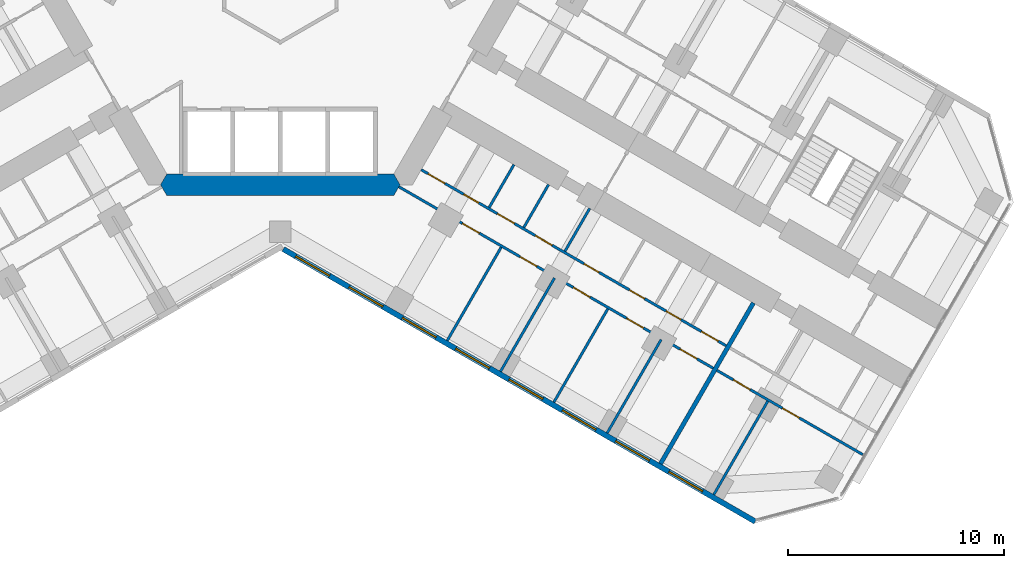
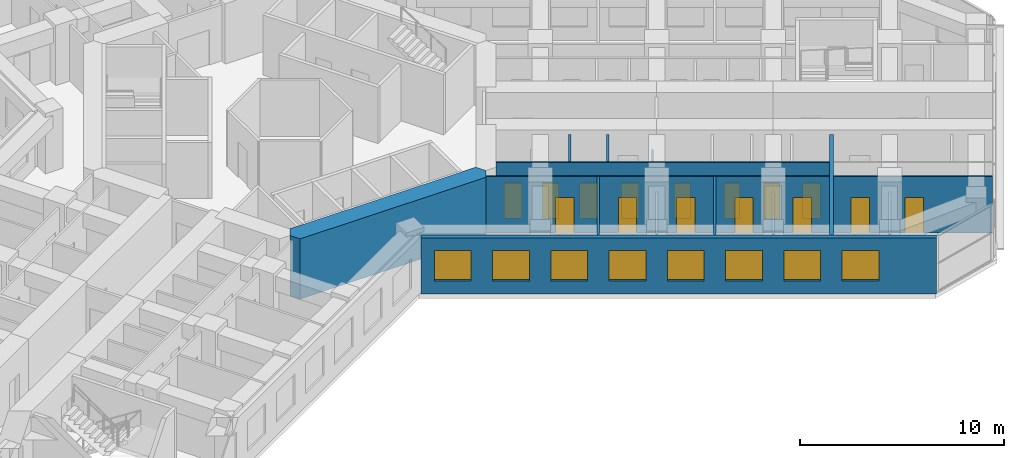
# One storey, part 14 of 21: 15 doors, 14 walls, 8 windows, 23 openings.
"""IFC4 building model written with IfcOpenShell, lengths in metres."""

from ifc_helpers import new_model, si_unit, direction, frame, frame_2d, origin, place, context, subcontext, project, spatial, polyline, rectangle, outline, extrude, material, layer, layer_set, type_object, element, fill, save


model = new_model("IFC4")

# Units and contexts
model_context = context("Model", 3, precision=1e-05, world=origin(), true_north=direction((0.0, 1.0)))
body_context = subcontext(model_context, "Body", "Model", "MODEL_VIEW")
ifc_project = project(units=[si_unit("LENGTHUNIT", "METRE"), si_unit("AREAUNIT", "SQUARE_METRE"), si_unit("VOLUMEUNIT", "CUBIC_METRE"), si_unit("PLANEANGLEUNIT", "RADIAN"), si_unit("MASSUNIT", "GRAM", prefix="KILO")], contexts=[model_context])

# Site, building, storey
site_placement = place(None, origin())
site = spatial("IfcSite", under=ifc_project, at=site_placement, CompositionType="ELEMENT")
building_placement = place(site_placement, origin())
building = spatial("IfcBuilding", under=site, at=building_placement, Name="Kosmar Iwan School Tower", CompositionType="ELEMENT")
storey_placement = place(building_placement, frame((0.0, 0.0, 61.0)))
storey = spatial("IfcBuildingStorey", under=building, at=storey_placement, Name="L14", CompositionType="ELEMENT", Elevation=61.0)

# Wall
ifc_material_1 = material(Name="Concrete C50/60", Category="concrete")
ifc_layer_1 = layer(ifc_material_1, 1.0)
ifc_layer_set_1 = layer_set([ifc_layer_1], Name="Core wall 1000")
wall_type_1 = type_object("IfcWallType", Name="Core wall 1000", PredefinedType="SHEAR", material=ifc_layer_set_1)
wall_1_placement = place(storey_placement, origin())
element("IfcWall", 1, at=wall_1_placement, inside=storey, type_object=wall_type_1, Name="Core wall F270", PredefinedType="SHEAR", context=body_context, shape_type="SweptSolid", body=[
    extrude(outline(polyline([(-5.25390625, -10.10009765625), (5.25390625, -10.10009765625), (5.54248046875, -9.60009765625), (5.25390625, -9.10009765625), (-5.25390625, -9.10009765625), (-5.54248046875, -9.60009765625), (-5.25390625, -10.10009765625)])), origin(), (0.0, 0.0, 1.0), 3.60009765625),
])

# Wall, openings, doors
ifc_material_2 = material(Name="Gypsum board on steel studs", Category="steel")
ifc_layer_2 = layer(ifc_material_2, 0.1201171875)
ifc_layer_set_2 = layer_set([ifc_layer_2], Name="Dwelling partition 120")
wall_type_2 = type_object("IfcWallType", Name="Dwelling partition 120", PredefinedType="PARTITIONING", material=ifc_layer_set_2)
wall_2_placement = place(storey_placement, frame((6.521728515625, -8.90380859375, 0.0), z_axis=(0.0, 0.0, 1.0), x_axis=(0.866031694176, -0.499989104564, 0.0)))
wall_2 = element("IfcWall", 2, at=wall_2_placement, inside=storey, type_object=wall_type_2, Name="Partition L14-CR1-W1", PredefinedType="PARTITIONING", context=body_context, shape_type="SweptSolid", body=[
    extrude(rectangle(XDim=16.300048828125, YDim=0.1201171875, at=frame_2d((8.14990234375, 0.0))), origin(), (0.0, 0.0, 1.0), 3.35009765625),
])
opening_1_placement = place(wall_2_placement, frame((0.375, 0.0, 0.0)))
opening_1 = element("IfcOpeningElement", 3, at=opening_1_placement, cuts=wall_2, Name="Opening D2", PredefinedType="OPENING", context=body_context, shape_type="SweptSolid", body=[
    extrude(rectangle(XDim=0.89990234375, YDim=2.10009765625, at=frame_2d((0.449951171875, 1.050048828125))), frame((0.0, 0.072021484375, 0.0), z_axis=(0.0, -1.0, 0.0), x_axis=(1.0, 0.0, 0.0)), (0.0, 0.0, 1.0), 0.14404296875),
])
opening_2_placement = place(wall_2_placement, frame((2.27490234375, 0.0, 0.0)))
opening_2 = element("IfcOpeningElement", 4, at=opening_2_placement, cuts=wall_2, Name="Opening D3", PredefinedType="OPENING", context=body_context, shape_type="SweptSolid", body=[
    extrude(rectangle(XDim=0.800048828125, YDim=2.10009765625, at=frame_2d((0.39990234375, 1.050048828125))), frame((0.0, 0.072021484375, 0.0), z_axis=(0.0, -1.0, 0.0), x_axis=(1.0, 0.0, 0.0)), (0.0, 0.0, 1.0), 0.14404296875),
])
opening_3_placement = place(wall_2_placement, frame((4.074951171875, 0.0, 0.0)))
opening_3 = element("IfcOpeningElement", 5, at=opening_3_placement, cuts=wall_2, Name="Opening D2", PredefinedType="OPENING", context=body_context, shape_type="SweptSolid", body=[
    extrude(rectangle(XDim=0.89990234375, YDim=2.10009765625, at=frame_2d((0.449951171875, 1.050048828125))), frame((0.0, 0.072021484375, 0.0), z_axis=(0.0, -1.0, 0.0), x_axis=(1.0, 0.0, 0.0)), (0.0, 0.0, 1.0), 0.14404296875),
])
opening_4_placement = place(wall_2_placement, frame((6.10009765625, 0.0, 0.0)))
opening_4 = element("IfcOpeningElement", 6, at=opening_4_placement, cuts=wall_2, Name="Opening D2", PredefinedType="OPENING", context=body_context, shape_type="SweptSolid", body=[
    extrude(rectangle(XDim=0.89990234375, YDim=2.10009765625, at=frame_2d((0.449951171875, 1.050048828125))), frame((0.0, 0.072021484375, 0.0), z_axis=(0.0, -1.0, 0.0), x_axis=(1.0, 0.0, 0.0)), (0.0, 0.0, 1.0), 0.14404296875),
])
opening_5_placement = place(wall_2_placement, frame((8.708251953125, 0.0, 0.0)))
opening_5 = element("IfcOpeningElement", 7, at=opening_5_placement, cuts=wall_2, Name="Opening D3", PredefinedType="OPENING", context=body_context, shape_type="SweptSolid", body=[
    extrude(rectangle(XDim=0.800048828125, YDim=2.10009765625, at=frame_2d((0.39990234375, 1.050048828125))), frame((0.0, 0.072021484375, 0.0), z_axis=(0.0, -1.0, 0.0), x_axis=(1.0, 0.0, 0.0)), (0.0, 0.0, 1.0), 0.14404296875),
])
opening_6_placement = place(wall_2_placement, frame((11.138916015625, 0.0, 0.0)))
opening_6 = element("IfcOpeningElement", 8, at=opening_6_placement, cuts=wall_2, Name="Opening D3", PredefinedType="OPENING", context=body_context, shape_type="SweptSolid", body=[
    extrude(rectangle(XDim=0.800048828125, YDim=2.10009765625, at=frame_2d((0.39990234375, 1.050048828125))), frame((0.0, 0.072021484375, 0.0), z_axis=(0.0, -1.0, 0.0), x_axis=(1.0, 0.0, 0.0)), (0.0, 0.0, 1.0), 0.14404296875),
])
opening_7_placement = place(wall_2_placement, frame((13.083251953125, 0.0, 0.0)))
opening_7 = element("IfcOpeningElement", 9, at=opening_7_placement, cuts=wall_2, Name="Opening D3", PredefinedType="OPENING", context=body_context, shape_type="SweptSolid", body=[
    extrude(rectangle(XDim=0.800048828125, YDim=2.10009765625, at=frame_2d((0.39990234375, 1.050048828125))), frame((0.0, 0.072021484375, 0.0), z_axis=(0.0, -1.0, 0.0), x_axis=(1.0, 0.0, 0.0)), (0.0, 0.0, 1.0), 0.14404296875),
])
opening_8_placement = place(wall_2_placement, frame((14.977783203125, 0.0, 0.0)))
opening_8 = element("IfcOpeningElement", 10, at=opening_8_placement, cuts=wall_2, Name="Opening D2", PredefinedType="OPENING", context=body_context, shape_type="SweptSolid", body=[
    extrude(rectangle(XDim=0.89990234375, YDim=2.10009765625, at=frame_2d((0.449951171875, 1.050048828125))), frame((0.0, 0.072021484375, 0.0), z_axis=(0.0, -1.0, 0.0), x_axis=(1.0, 0.0, 0.0)), (0.0, 0.0, 1.0), 0.14404296875),
])
ifc_material_3 = material(Name="Timber door in timber frame", Category="wood")
door_type_1 = type_object("IfcDoorType", Name="Internal door 900x2100", OperationType="SINGLE_SWING_LEFT", PredefinedType="DOOR", material=ifc_material_3)
door_1_placement = place(opening_1_placement, origin())
door_1 = element("IfcDoor", 11, at=door_1_placement, inside=storey, type_object=door_type_1, Name="Dressing room door L14-CR1-S1", OperationType="SINGLE_SWING_RIGHT", OverallHeight=2.10009765625, OverallWidth=0.89990234375, PredefinedType="DOOR", context=body_context, shape_type="SweptSolid", body=[
    extrude(rectangle(XDim=0.89990234375, YDim=2.10009765625, at=frame_2d((0.449951171875, 1.050048828125))), frame((0.0, 0.02490234375, 0.0), z_axis=(0.0, -1.0, 0.0), x_axis=(1.0, 0.0, 0.0)), (0.0, 0.0, 1.0), 0.050048828125),
])
fill(opening_1, door_1)
door_2_placement = place(opening_3_placement, origin())
door_2 = element("IfcDoor", 12, at=door_2_placement, inside=storey, type_object=door_type_1, Name="Pantry door L14-CR1-S3", OperationType="SINGLE_SWING_RIGHT", OverallHeight=2.10009765625, OverallWidth=0.89990234375, PredefinedType="DOOR", context=body_context, shape_type="SweptSolid", body=[
    extrude(rectangle(XDim=0.89990234375, YDim=2.10009765625, at=frame_2d((0.449951171875, 1.050048828125))), frame((0.0, 0.02490234375, 0.0), z_axis=(0.0, -1.0, 0.0), x_axis=(1.0, 0.0, 0.0)), (0.0, 0.0, 1.0), 0.050048828125),
])
fill(opening_3, door_2)
door_3_placement = place(opening_4_placement, origin())
door_3 = element("IfcDoor", 13, at=door_3_placement, inside=storey, type_object=door_type_1, Name="Entrance hall door L14-CR1-S4", OperationType="SINGLE_SWING_LEFT", OverallHeight=2.10009765625, OverallWidth=0.89990234375, PredefinedType="DOOR", context=body_context, shape_type="SweptSolid", body=[
    extrude(rectangle(XDim=0.89990234375, YDim=2.10009765625, at=frame_2d((0.449951171875, 1.050048828125))), frame((0.0, 0.02490234375, 0.0), z_axis=(0.0, -1.0, 0.0), x_axis=(1.0, 0.0, 0.0)), (0.0, 0.0, 1.0), 0.050048828125),
])
fill(opening_4, door_3)
door_4_placement = place(opening_8_placement, origin())
door_4 = element("IfcDoor", 14, at=door_4_placement, inside=storey, type_object=door_type_1, Name="Utility room door L14-CR1-S8", OperationType="SINGLE_SWING_RIGHT", OverallHeight=2.10009765625, OverallWidth=0.89990234375, PredefinedType="DOOR", context=body_context, shape_type="SweptSolid", body=[
    extrude(rectangle(XDim=0.89990234375, YDim=2.10009765625, at=frame_2d((0.449951171875, 1.050048828125))), frame((0.0, 0.02490234375, 0.0), z_axis=(0.0, -1.0, 0.0), x_axis=(1.0, 0.0, 0.0)), (0.0, 0.0, 1.0), 0.050048828125),
])
fill(opening_8, door_4)
ifc_material_4 = material(Name="Timber door in timber frame", Category="wood")
door_type_2 = type_object("IfcDoorType", Name="Sanitary room door 800x2100", OperationType="SINGLE_SWING_LEFT", PredefinedType="DOOR", material=ifc_material_4)
door_5_placement = place(opening_2_placement, origin())
door_5 = element("IfcDoor", 15, at=door_5_placement, inside=storey, type_object=door_type_2, Name="Store door L14-CR1-S2", OperationType="SINGLE_SWING_LEFT", OverallHeight=2.10009765625, OverallWidth=0.800048828125, PredefinedType="DOOR", context=body_context, shape_type="SweptSolid", body=[
    extrude(rectangle(XDim=0.800048828125, YDim=2.10009765625, at=frame_2d((0.39990234375, 1.050048828125))), frame((0.0, 0.02490234375, 0.0), z_axis=(0.0, -1.0, 0.0), x_axis=(1.0, 0.0, 0.0)), (0.0, 0.0, 1.0), 0.050048828125),
])
fill(opening_2, door_5)
door_6_placement = place(opening_5_placement, origin())
door_6 = element("IfcDoor", 16, at=door_6_placement, inside=storey, type_object=door_type_2, Name="Bathroom door L14-CR1-S5", OperationType="SINGLE_SWING_RIGHT", OverallHeight=2.10009765625, OverallWidth=0.800048828125, PredefinedType="DOOR", context=body_context, shape_type="SweptSolid", body=[
    extrude(rectangle(XDim=0.800048828125, YDim=2.10009765625, at=frame_2d((0.39990234375, 1.050048828125))), frame((0.0, 0.02490234375, 0.0), z_axis=(0.0, -1.0, 0.0), x_axis=(1.0, 0.0, 0.0)), (0.0, 0.0, 1.0), 0.050048828125),
])
fill(opening_5, door_6)
door_7_placement = place(opening_6_placement, origin())
door_7 = element("IfcDoor", 17, at=door_7_placement, inside=storey, type_object=door_type_2, Name="Shower room door L14-CR1-S6", OperationType="SINGLE_SWING_LEFT", OverallHeight=2.10009765625, OverallWidth=0.800048828125, PredefinedType="DOOR", context=body_context, shape_type="SweptSolid", body=[
    extrude(rectangle(XDim=0.800048828125, YDim=2.10009765625, at=frame_2d((0.39990234375, 1.050048828125))), frame((0.0, 0.02490234375, 0.0), z_axis=(0.0, -1.0, 0.0), x_axis=(1.0, 0.0, 0.0)), (0.0, 0.0, 1.0), 0.050048828125),
])
fill(opening_6, door_7)
door_8_placement = place(opening_7_placement, origin())
door_8 = element("IfcDoor", 18, at=door_8_placement, inside=storey, type_object=door_type_2, Name="WC door L14-CR1-S7", OperationType="SINGLE_SWING_RIGHT", OverallHeight=2.10009765625, OverallWidth=0.800048828125, PredefinedType="DOOR", context=body_context, shape_type="SweptSolid", body=[
    extrude(rectangle(XDim=0.800048828125, YDim=2.10009765625, at=frame_2d((0.39990234375, 1.050048828125))), frame((0.0, 0.02490234375, 0.0), z_axis=(0.0, -1.0, 0.0), x_axis=(1.0, 0.0, 0.0)), (0.0, 0.0, 1.0), 0.050048828125),
])
fill(opening_7, door_8)

wall_3_placement = place(storey_placement, frame((5.48876953125, -9.693115234375, 0.0), z_axis=(0.0, 0.0, 1.0), x_axis=(0.86602925447, -0.499993330357, 0.0)))
wall_3 = element("IfcWall", 19, at=wall_3_placement, inside=storey, type_object=wall_type_2, Name="Partition L14-CR1-W2", PredefinedType="PARTITIONING", context=body_context, shape_type="SweptSolid", body=[
    extrude(rectangle(XDim=16.800048828125, YDim=0.1201171875, at=frame_2d((8.39990234375, 0.0))), origin(), (0.0, 0.0, 1.0), 3.35009765625),
])
opening_9_placement = place(wall_3_placement, frame((3.39990234375, 0.0, 0.0)))
opening_9 = element("IfcOpeningElement", 20, at=opening_9_placement, cuts=wall_3, Name="Opening D2", PredefinedType="OPENING", context=body_context, shape_type="SweptSolid", body=[
    extrude(rectangle(XDim=0.89990234375, YDim=2.10009765625, at=frame_2d((0.449951171875, 1.050048828125))), frame((0.0, 0.072021484375, 0.0), z_axis=(0.0, -1.0, 0.0), x_axis=(1.0, 0.0, 0.0)), (0.0, 0.0, 1.0), 0.14404296875),
])
opening_10_placement = place(wall_3_placement, frame((6.47509765625, 0.0, 0.0)))
opening_10 = element("IfcOpeningElement", 21, at=opening_10_placement, cuts=wall_3, Name="Opening D2", PredefinedType="OPENING", context=body_context, shape_type="SweptSolid", body=[
    extrude(rectangle(XDim=0.89990234375, YDim=2.10009765625, at=frame_2d((0.449951171875, 1.050048828125))), frame((0.0, 0.072021484375, 0.0), z_axis=(0.0, -1.0, 0.0), x_axis=(1.0, 0.0, 0.0)), (0.0, 0.0, 1.0), 0.14404296875),
])
opening_11_placement = place(wall_3_placement, frame((9.324951171875, 0.0, 0.0)))
opening_11 = element("IfcOpeningElement", 22, at=opening_11_placement, cuts=wall_3, Name="Opening D2", PredefinedType="OPENING", context=body_context, shape_type="SweptSolid", body=[
    extrude(rectangle(XDim=0.89990234375, YDim=2.10009765625, at=frame_2d((0.449951171875, 1.050048828125))), frame((0.0, 0.072021484375, 0.0), z_axis=(0.0, -1.0, 0.0), x_axis=(1.0, 0.0, 0.0)), (0.0, 0.0, 1.0), 0.14404296875),
])
opening_12_placement = place(wall_3_placement, frame((12.175048828125, 0.0, 0.0)))
opening_12 = element("IfcOpeningElement", 23, at=opening_12_placement, cuts=wall_3, Name="Opening D2", PredefinedType="OPENING", context=body_context, shape_type="SweptSolid", body=[
    extrude(rectangle(XDim=0.89990234375, YDim=2.10009765625, at=frame_2d((0.449951171875, 1.050048828125))), frame((0.0, 0.072021484375, 0.0), z_axis=(0.0, -1.0, 0.0), x_axis=(1.0, 0.0, 0.0)), (0.0, 0.0, 1.0), 0.14404296875),
])
opening_13_placement = place(wall_3_placement, frame((15.02490234375, 0.0, 0.0)))
opening_13 = element("IfcOpeningElement", 24, at=opening_13_placement, cuts=wall_3, Name="Opening D2", PredefinedType="OPENING", context=body_context, shape_type="SweptSolid", body=[
    extrude(rectangle(XDim=0.89990234375, YDim=2.10009765625, at=frame_2d((0.449951171875, 1.050048828125))), frame((0.0, 0.072021484375, 0.0), z_axis=(0.0, -1.0, 0.0), x_axis=(1.0, 0.0, 0.0)), (0.0, 0.0, 1.0), 0.14404296875),
])
door_9_placement = place(opening_9_placement, origin())
door_9 = element("IfcDoor", 25, at=door_9_placement, inside=storey, type_object=door_type_1, Name="Living room and kitchen door L14-CR1-F1", OperationType="SINGLE_SWING_LEFT", OverallHeight=2.10009765625, OverallWidth=0.89990234375, PredefinedType="DOOR", context=body_context, shape_type="SweptSolid", body=[
    extrude(rectangle(XDim=0.89990234375, YDim=2.10009765625, at=frame_2d((0.449951171875, 1.050048828125))), frame((0.0, 0.02490234375, 0.0), z_axis=(0.0, -1.0, 0.0), x_axis=(1.0, 0.0, 0.0)), (0.0, 0.0, 1.0), 0.050048828125),
])
fill(opening_9, door_9)
door_10_placement = place(opening_10_placement, origin())
door_10 = element("IfcDoor", 26, at=door_10_placement, inside=storey, type_object=door_type_1, Name="Bedroom 1 door L14-CR1-F2", OperationType="SINGLE_SWING_LEFT", OverallHeight=2.10009765625, OverallWidth=0.89990234375, PredefinedType="DOOR", context=body_context, shape_type="SweptSolid", body=[
    extrude(rectangle(XDim=0.89990234375, YDim=2.10009765625, at=frame_2d((0.449951171875, 1.050048828125))), frame((0.0, 0.02490234375, 0.0), z_axis=(0.0, -1.0, 0.0), x_axis=(1.0, 0.0, 0.0)), (0.0, 0.0, 1.0), 0.050048828125),
])
fill(opening_10, door_10)
door_11_placement = place(opening_11_placement, origin())
door_11 = element("IfcDoor", 27, at=door_11_placement, inside=storey, type_object=door_type_1, Name="Bedroom 2 door L14-CR1-F3", OperationType="SINGLE_SWING_RIGHT", OverallHeight=2.10009765625, OverallWidth=0.89990234375, PredefinedType="DOOR", context=body_context, shape_type="SweptSolid", body=[
    extrude(rectangle(XDim=0.89990234375, YDim=2.10009765625, at=frame_2d((0.449951171875, 1.050048828125))), frame((0.0, 0.02490234375, 0.0), z_axis=(0.0, -1.0, 0.0), x_axis=(1.0, 0.0, 0.0)), (0.0, 0.0, 1.0), 0.050048828125),
])
fill(opening_11, door_11)
door_12_placement = place(opening_12_placement, origin())
door_12 = element("IfcDoor", 28, at=door_12_placement, inside=storey, type_object=door_type_1, Name="Bedroom 3 door L14-CR1-F4", OperationType="SINGLE_SWING_RIGHT", OverallHeight=2.10009765625, OverallWidth=0.89990234375, PredefinedType="DOOR", context=body_context, shape_type="SweptSolid", body=[
    extrude(rectangle(XDim=0.89990234375, YDim=2.10009765625, at=frame_2d((0.449951171875, 1.050048828125))), frame((0.0, 0.02490234375, 0.0), z_axis=(0.0, -1.0, 0.0), x_axis=(1.0, 0.0, 0.0)), (0.0, 0.0, 1.0), 0.050048828125),
])
fill(opening_12, door_12)
door_13_placement = place(opening_13_placement, origin())
door_13 = element("IfcDoor", 29, at=door_13_placement, inside=storey, type_object=door_type_1, Name="Bedroom 4 door L14-CR1-F5", OperationType="SINGLE_SWING_RIGHT", OverallHeight=2.10009765625, OverallWidth=0.89990234375, PredefinedType="DOOR", context=body_context, shape_type="SweptSolid", body=[
    extrude(rectangle(XDim=0.89990234375, YDim=2.10009765625, at=frame_2d((0.449951171875, 1.050048828125))), frame((0.0, 0.02490234375, 0.0), z_axis=(0.0, -1.0, 0.0), x_axis=(1.0, 0.0, 0.0)), (0.0, 0.0, 1.0), 0.050048828125),
])
fill(opening_13, door_13)

# Walls
wall_4_placement = place(storey_placement, frame((10.221923828125, -12.4951171875, 0.0), z_axis=(0.0, 0.0, 1.0), x_axis=(-0.499996339024, -0.86602751744, 0.0)))
element("IfcWall", 30, at=wall_4_placement, inside=storey, type_object=wall_type_2, Name="Partition L14-CR1-X1", PredefinedType="PARTITIONING", context=body_context, shape_type="SweptSolid", body=[
    extrude(rectangle(XDim=4.98974609375, YDim=0.1201171875, at=frame_2d((2.494873046875, 0.0))), origin(), (0.0, 0.0, 1.0), 3.35009765625),
])
wall_5_placement = place(storey_placement, frame((12.690185546875, -13.919921875, 0.0), z_axis=(0.0, 0.0, 1.0), x_axis=(-0.500011847778, -0.866018563358, 0.0)))
element("IfcWall", 31, at=wall_5_placement, inside=storey, type_object=wall_type_2, Name="Partition L14-CR1-X2", PredefinedType="PARTITIONING", context=body_context, shape_type="SweptSolid", body=[
    extrude(rectangle(XDim=4.990234375, YDim=0.1201171875, at=frame_2d((2.4951171875, 0.0))), origin(), (0.0, 0.0, 1.0), 2.449951171875),
])
wall_6_placement = place(storey_placement, frame((15.158447265625, -15.344970703125, 0.0), z_axis=(0.0, 0.0, 1.0), x_axis=(-0.500011847778, -0.866018563358, 0.0)))
element("IfcWall", 32, at=wall_6_placement, inside=storey, type_object=wall_type_2, Name="Partition L14-CR1-X3", PredefinedType="PARTITIONING", context=body_context, shape_type="SweptSolid", body=[
    extrude(rectangle(XDim=4.990234375, YDim=0.1201171875, at=frame_2d((2.4951171875, 0.0))), origin(), (0.0, 0.0, 1.0), 3.35009765625),
])
wall_7_placement = place(storey_placement, frame((17.62646484375, -16.77001953125, 0.0), z_axis=(0.0, 0.0, 1.0), x_axis=(-0.499975153383, -0.86603974851, 0.0)))
element("IfcWall", 33, at=wall_7_placement, inside=storey, type_object=wall_type_2, Name="Partition L14-CR1-X4", PredefinedType="PARTITIONING", context=body_context, shape_type="SweptSolid", body=[
    extrude(rectangle(XDim=4.989990234375, YDim=0.1201171875, at=frame_2d((2.4951171875, 0.0))), origin(), (0.0, 0.0, 1.0), 2.449951171875),
])
for number, where, z_axis, x_axis, name in (
    (34, (10.814453125, -8.668701171875, 0.0), (0.0, 0.0, 1.0), (-0.500014693593, -0.866016920268, 0.0), "Partition L14-CR1-Y2"),
    (35, (12.416748046875, -9.59375, 0.0), (0.0, 0.0, 1.0), (-0.500014693593, -0.866016920268, 0.0), "Partition L14-CR1-Y3"),
):
    element("IfcWall", number, at=place(storey_placement, frame(where, z_axis=z_axis, x_axis=x_axis)), inside=storey, type_object=wall_type_2, Name=name, PredefinedType="PARTITIONING", context=body_context, shape_type="SweptSolid", body=[
        extrude(rectangle(XDim=2.2900390625, YDim=0.1201171875, at=frame_2d((1.14501953125, 0.0))), origin(), (0.0, 0.0, 1.0), 3.35009765625),
    ])
wall_8_placement = place(storey_placement, frame((14.322021484375, -10.693603515625, 0.0), z_axis=(0.0, 0.0, 1.0), x_axis=(-0.500014693593, -0.866016920268, 0.0)))
element("IfcWall", 36, at=wall_8_placement, inside=storey, type_object=wall_type_2, Name="Partition L14-CR1-Y4", PredefinedType="PARTITIONING", context=body_context, shape_type="SweptSolid", body=[
    extrude(rectangle(XDim=2.2900390625, YDim=0.1201171875, at=frame_2d((1.14501953125, 0.0))), origin(), (0.0, 0.0, 1.0), 2.449951171875),
])

# Wall, openings, doors
wall_9_placement = place(storey_placement, frame((20.211181640625, -18.193115234375, 0.0), z_axis=(0.0, 0.0, 1.0), x_axis=(0.866029639064, -0.499992664208, 0.0)))
wall_9 = element("IfcWall", 37, at=wall_9_placement, inside=storey, type_object=wall_type_2, Name="Partition L14-CR2-W2", PredefinedType="PARTITIONING", context=body_context, shape_type="SweptSolid", body=[
    extrude(rectangle(XDim=7.794921875, YDim=0.1201171875, at=frame_2d((3.8974609375, 0.0))), origin(), (0.0, 0.0, 1.0), 3.35009765625),
])
opening_14_placement = place(wall_9_placement, frame((0.875, 0.0, 0.0)))
opening_14 = element("IfcOpeningElement", 38, at=opening_14_placement, cuts=wall_9, Name="Opening D2", PredefinedType="OPENING", context=body_context, shape_type="SweptSolid", body=[
    extrude(rectangle(XDim=0.89990234375, YDim=2.10009765625, at=frame_2d((0.449951171875, 1.050048828125))), frame((0.0, 0.072021484375, 0.0), z_axis=(0.0, -1.0, 0.0), x_axis=(1.0, 0.0, 0.0)), (0.0, 0.0, 1.0), 0.14404296875),
])
opening_15_placement = place(wall_9_placement, frame((3.5, 0.0, 0.0)))
opening_15 = element("IfcOpeningElement", 39, at=opening_15_placement, cuts=wall_9, Name="Opening D2", PredefinedType="OPENING", context=body_context, shape_type="SweptSolid", body=[
    extrude(rectangle(XDim=0.89990234375, YDim=2.10009765625, at=frame_2d((0.449951171875, 1.050048828125))), frame((0.0, 0.072021484375, 0.0), z_axis=(0.0, -1.0, 0.0), x_axis=(1.0, 0.0, 0.0)), (0.0, 0.0, 1.0), 0.14404296875),
])
door_14_placement = place(opening_14_placement, origin())
door_14 = element("IfcDoor", 40, at=door_14_placement, inside=storey, type_object=door_type_1, Name="Bedroom 1 door L14-CR2-F1", OperationType="SINGLE_SWING_LEFT", OverallHeight=2.10009765625, OverallWidth=0.89990234375, PredefinedType="DOOR", context=body_context, shape_type="SweptSolid", body=[
    extrude(rectangle(XDim=0.89990234375, YDim=2.10009765625, at=frame_2d((0.449951171875, 1.050048828125))), frame((0.0, 0.02490234375, 0.0), z_axis=(0.0, -1.0, 0.0), x_axis=(1.0, 0.0, 0.0)), (0.0, 0.0, 1.0), 0.050048828125),
])
fill(opening_14, door_14)
door_15_placement = place(opening_15_placement, origin())
door_15 = element("IfcDoor", 41, at=door_15_placement, inside=storey, type_object=door_type_1, Name="Living room and kitchen door L14-CR2-F2", OperationType="SINGLE_SWING_RIGHT", OverallHeight=2.10009765625, OverallWidth=0.89990234375, PredefinedType="DOOR", context=body_context, shape_type="SweptSolid", body=[
    extrude(rectangle(XDim=0.89990234375, YDim=2.10009765625, at=frame_2d((0.449951171875, 1.050048828125))), frame((0.0, 0.02490234375, 0.0), z_axis=(0.0, -1.0, 0.0), x_axis=(1.0, 0.0, 0.0)), (0.0, 0.0, 1.0), 0.050048828125),
])
fill(opening_15, door_15)

# Wall
wall_10_placement = place(storey_placement, frame((22.562744140625, -19.6201171875, 0.0), z_axis=(0.0, 0.0, 1.0), x_axis=(-0.499996339024, -0.86602751744, 0.0)))
element("IfcWall", 42, at=wall_10_placement, inside=storey, type_object=wall_type_2, Name="Partition L14-CR2-X1", PredefinedType="PARTITIONING", context=body_context, shape_type="SweptSolid", body=[
    extrude(rectangle(XDim=4.98974609375, YDim=0.1201171875, at=frame_2d((2.494873046875, 0.0))), origin(), (0.0, 0.0, 1.0), 2.449951171875),
])

# Wall, openings, windows
ifc_material_5 = material(Name="Black aluminium rainscreen on insulated framing", Category="aluminium")
ifc_layer_3 = layer(ifc_material_5, 0.25)
ifc_layer_set_3 = layer_set([ifc_layer_3], Name="External wall rainscreen 250")
wall_type_3 = type_object("IfcWallType", Name="External wall rainscreen 250", PredefinedType="SOLIDWALL", material=ifc_layer_set_3)
wall_11_placement = place(storey_placement, frame((0.137939453125, -12.5791015625, 0.0), z_axis=(0.0, 0.0, 1.0), x_axis=(0.866023775649, -0.500002820003, 0.0)))
wall_11 = element("IfcWall", 43, at=wall_11_placement, inside=storey, type_object=wall_type_3, Name="External wall CR L14", PredefinedType="SOLIDWALL", context=body_context, shape_type="SweptSolid", body=[
    extrude(rectangle(XDim=25.226318359375, YDim=0.25, at=frame_2d((12.61328125, 0.0))), origin(), (0.0, 0.0, 1.0), 3.35009765625),
])
opening_16_placement = place(wall_11_placement, frame((0.666015625, 0.0, 0.800048828125)))
opening_16 = element("IfcOpeningElement", 44, at=opening_16_placement, cuts=wall_11, Name="Opening W1", PredefinedType="OPENING", context=body_context, shape_type="SweptSolid", body=[
    extrude(rectangle(XDim=1.800048828125, YDim=1.800048828125, at=frame_2d((0.89990234375, 0.89990234375))), frame((0.0, 0.136962890625, 0.0), z_axis=(0.0, -1.0, 0.0), x_axis=(1.0, 0.0, 0.0)), (0.0, 0.0, 1.0), 0.27392578125),
])
opening_17_placement = place(wall_11_placement, frame((3.51611328125, 0.0, 0.800048828125)))
opening_17 = element("IfcOpeningElement", 45, at=opening_17_placement, cuts=wall_11, Name="Opening W1", PredefinedType="OPENING", context=body_context, shape_type="SweptSolid", body=[
    extrude(rectangle(XDim=1.800048828125, YDim=1.800048828125, at=frame_2d((0.89990234375, 0.89990234375))), frame((0.0, 0.136962890625, 0.0), z_axis=(0.0, -1.0, 0.0), x_axis=(1.0, 0.0, 0.0)), (0.0, 0.0, 1.0), 0.27392578125),
])
opening_18_placement = place(wall_11_placement, frame((6.365966796875, 0.0, 0.800048828125)))
opening_18 = element("IfcOpeningElement", 46, at=opening_18_placement, cuts=wall_11, Name="Opening W1", PredefinedType="OPENING", context=body_context, shape_type="SweptSolid", body=[
    extrude(rectangle(XDim=1.800048828125, YDim=1.800048828125, at=frame_2d((0.89990234375, 0.89990234375))), frame((0.0, 0.136962890625, 0.0), z_axis=(0.0, -1.0, 0.0), x_axis=(1.0, 0.0, 0.0)), (0.0, 0.0, 1.0), 0.27392578125),
])
opening_19_placement = place(wall_11_placement, frame((9.216064453125, 0.0, 0.800048828125)))
opening_19 = element("IfcOpeningElement", 47, at=opening_19_placement, cuts=wall_11, Name="Opening W1", PredefinedType="OPENING", context=body_context, shape_type="SweptSolid", body=[
    extrude(rectangle(XDim=1.800048828125, YDim=1.800048828125, at=frame_2d((0.89990234375, 0.89990234375))), frame((0.0, 0.136962890625, 0.0), z_axis=(0.0, -1.0, 0.0), x_axis=(1.0, 0.0, 0.0)), (0.0, 0.0, 1.0), 0.27392578125),
])
opening_20_placement = place(wall_11_placement, frame((12.06591796875, 0.0, 0.800048828125)))
opening_20 = element("IfcOpeningElement", 48, at=opening_20_placement, cuts=wall_11, Name="Opening W1", PredefinedType="OPENING", context=body_context, shape_type="SweptSolid", body=[
    extrude(rectangle(XDim=1.800048828125, YDim=1.800048828125, at=frame_2d((0.89990234375, 0.89990234375))), frame((0.0, 0.136962890625, 0.0), z_axis=(0.0, -1.0, 0.0), x_axis=(1.0, 0.0, 0.0)), (0.0, 0.0, 1.0), 0.27392578125),
])
opening_21_placement = place(wall_11_placement, frame((14.916015625, 0.0, 0.800048828125)))
opening_21 = element("IfcOpeningElement", 49, at=opening_21_placement, cuts=wall_11, Name="Opening W1", PredefinedType="OPENING", context=body_context, shape_type="SweptSolid", body=[
    extrude(rectangle(XDim=1.800048828125, YDim=1.800048828125, at=frame_2d((0.89990234375, 0.89990234375))), frame((0.0, 0.136962890625, 0.0), z_axis=(0.0, -1.0, 0.0), x_axis=(1.0, 0.0, 0.0)), (0.0, 0.0, 1.0), 0.27392578125),
])
opening_22_placement = place(wall_11_placement, frame((17.76611328125, 0.0, 0.800048828125)))
opening_22 = element("IfcOpeningElement", 50, at=opening_22_placement, cuts=wall_11, Name="Opening W1", PredefinedType="OPENING", context=body_context, shape_type="SweptSolid", body=[
    extrude(rectangle(XDim=1.800048828125, YDim=1.800048828125, at=frame_2d((0.89990234375, 0.89990234375))), frame((0.0, 0.136962890625, 0.0), z_axis=(0.0, -1.0, 0.0), x_axis=(1.0, 0.0, 0.0)), (0.0, 0.0, 1.0), 0.27392578125),
])
opening_23_placement = place(wall_11_placement, frame((20.615966796875, 0.0, 0.800048828125)))
opening_23 = element("IfcOpeningElement", 51, at=opening_23_placement, cuts=wall_11, Name="Opening W1", PredefinedType="OPENING", context=body_context, shape_type="SweptSolid", body=[
    extrude(rectangle(XDim=1.800048828125, YDim=1.800048828125, at=frame_2d((0.89990234375, 0.89990234375))), frame((0.0, 0.136962890625, 0.0), z_axis=(0.0, -1.0, 0.0), x_axis=(1.0, 0.0, 0.0)), (0.0, 0.0, 1.0), 0.27392578125),
])
ifc_material_6 = material(Name="Black aluminium frame with dark triple glazing", Category="aluminium")
window_type = type_object("IfcWindowType", Name="Window 1800x1800", PartitioningType="SINGLE_PANEL", PredefinedType="WINDOW", material=ifc_material_6)
window_1_placement = place(opening_16_placement, origin())
window_1 = element("IfcWindow", 52, at=window_1_placement, inside=storey, type_object=window_type, Name="Window CR L14 -1", OverallHeight=1.800048828125, OverallWidth=1.800048828125, PartitioningType="SINGLE_PANEL", PredefinedType="WINDOW", context=body_context, shape_type="SweptSolid", body=[
    extrude(rectangle(XDim=1.800048828125, YDim=1.800048828125, at=frame_2d((0.89990234375, 0.89990234375))), frame((0.0, 0.030029296875, 0.0), z_axis=(0.0, -1.0, 0.0), x_axis=(1.0, 0.0, 0.0)), (0.0, 0.0, 1.0), 0.06005859375),
])
fill(opening_16, window_1)
window_2_placement = place(opening_17_placement, origin())
window_2 = element("IfcWindow", 53, at=window_2_placement, inside=storey, type_object=window_type, Name="Window CR L14 0", OverallHeight=1.800048828125, OverallWidth=1.800048828125, PartitioningType="SINGLE_PANEL", PredefinedType="WINDOW", context=body_context, shape_type="SweptSolid", body=[
    extrude(rectangle(XDim=1.800048828125, YDim=1.800048828125, at=frame_2d((0.89990234375, 0.89990234375))), frame((0.0, 0.030029296875, 0.0), z_axis=(0.0, -1.0, 0.0), x_axis=(1.0, 0.0, 0.0)), (0.0, 0.0, 1.0), 0.06005859375),
])
fill(opening_17, window_2)
window_3_placement = place(opening_18_placement, origin())
window_3 = element("IfcWindow", 54, at=window_3_placement, inside=storey, type_object=window_type, Name="Window CR L14 1", OverallHeight=1.800048828125, OverallWidth=1.800048828125, PartitioningType="SINGLE_PANEL", PredefinedType="WINDOW", context=body_context, shape_type="SweptSolid", body=[
    extrude(rectangle(XDim=1.800048828125, YDim=1.800048828125, at=frame_2d((0.89990234375, 0.89990234375))), frame((0.0, 0.030029296875, 0.0), z_axis=(0.0, -1.0, 0.0), x_axis=(1.0, 0.0, 0.0)), (0.0, 0.0, 1.0), 0.06005859375),
])
fill(opening_18, window_3)
window_4_placement = place(opening_19_placement, origin())
window_4 = element("IfcWindow", 55, at=window_4_placement, inside=storey, type_object=window_type, Name="Window CR L14 2", OverallHeight=1.800048828125, OverallWidth=1.800048828125, PartitioningType="SINGLE_PANEL", PredefinedType="WINDOW", context=body_context, shape_type="SweptSolid", body=[
    extrude(rectangle(XDim=1.800048828125, YDim=1.800048828125, at=frame_2d((0.89990234375, 0.89990234375))), frame((0.0, 0.030029296875, 0.0), z_axis=(0.0, -1.0, 0.0), x_axis=(1.0, 0.0, 0.0)), (0.0, 0.0, 1.0), 0.06005859375),
])
fill(opening_19, window_4)
window_5_placement = place(opening_20_placement, origin())
window_5 = element("IfcWindow", 56, at=window_5_placement, inside=storey, type_object=window_type, Name="Window CR L14 3", OverallHeight=1.800048828125, OverallWidth=1.800048828125, PartitioningType="SINGLE_PANEL", PredefinedType="WINDOW", context=body_context, shape_type="SweptSolid", body=[
    extrude(rectangle(XDim=1.800048828125, YDim=1.800048828125, at=frame_2d((0.89990234375, 0.89990234375))), frame((0.0, 0.030029296875, 0.0), z_axis=(0.0, -1.0, 0.0), x_axis=(1.0, 0.0, 0.0)), (0.0, 0.0, 1.0), 0.06005859375),
])
fill(opening_20, window_5)
window_6_placement = place(opening_21_placement, origin())
window_6 = element("IfcWindow", 57, at=window_6_placement, inside=storey, type_object=window_type, Name="Window CR L14 4", OverallHeight=1.800048828125, OverallWidth=1.800048828125, PartitioningType="SINGLE_PANEL", PredefinedType="WINDOW", context=body_context, shape_type="SweptSolid", body=[
    extrude(rectangle(XDim=1.800048828125, YDim=1.800048828125, at=frame_2d((0.89990234375, 0.89990234375))), frame((0.0, 0.030029296875, 0.0), z_axis=(0.0, -1.0, 0.0), x_axis=(1.0, 0.0, 0.0)), (0.0, 0.0, 1.0), 0.06005859375),
])
fill(opening_21, window_6)
window_7_placement = place(opening_22_placement, origin())
window_7 = element("IfcWindow", 58, at=window_7_placement, inside=storey, type_object=window_type, Name="Window CR L14 5", OverallHeight=1.800048828125, OverallWidth=1.800048828125, PartitioningType="SINGLE_PANEL", PredefinedType="WINDOW", context=body_context, shape_type="SweptSolid", body=[
    extrude(rectangle(XDim=1.800048828125, YDim=1.800048828125, at=frame_2d((0.89990234375, 0.89990234375))), frame((0.0, 0.030029296875, 0.0), z_axis=(0.0, -1.0, 0.0), x_axis=(1.0, 0.0, 0.0)), (0.0, 0.0, 1.0), 0.06005859375),
])
fill(opening_22, window_7)
window_8_placement = place(opening_23_placement, origin())
window_8 = element("IfcWindow", 59, at=window_8_placement, inside=storey, type_object=window_type, Name="Window CR L14 6", OverallHeight=1.800048828125, OverallWidth=1.800048828125, PartitioningType="SINGLE_PANEL", PredefinedType="WINDOW", context=body_context, shape_type="SweptSolid", body=[
    extrude(rectangle(XDim=1.800048828125, YDim=1.800048828125, at=frame_2d((0.89990234375, 0.89990234375))), frame((0.0, 0.030029296875, 0.0), z_axis=(0.0, -1.0, 0.0), x_axis=(1.0, 0.0, 0.0)), (0.0, 0.0, 1.0), 0.06005859375),
])
fill(opening_23, window_8)

# Wall
ifc_material_7 = material(Name="Concrete block masonry", Category="masonry")
ifc_layer_4 = layer(ifc_material_7, 0.199951171875)
ifc_layer_set_4 = layer_set([ifc_layer_4], Name="Party wall 200")
wall_type_4 = type_object("IfcWallType", Name="Party wall 200", PredefinedType="PARTITIONING", material=ifc_layer_set_4)
wall_12_placement = place(storey_placement, frame((21.899658203125, -15.068603515625, 0.0), z_axis=(0.0, 0.0, 1.0), x_axis=(-0.499995216735, -0.866028165386, 0.0)))
element("IfcWall", 60, at=wall_12_placement, inside=storey, type_object=wall_type_4, Name="Partition L14-CR2-PW", PredefinedType="PARTITIONING", context=body_context, shape_type="SweptSolid", body=[
    extrude(rectangle(XDim=8.60009765625, YDim=0.199951171875, at=frame_2d((4.300048828125, 0.0))), origin(), (0.0, 0.0, 1.0), 3.35009765625),
])

save(model, "model.ifc")
